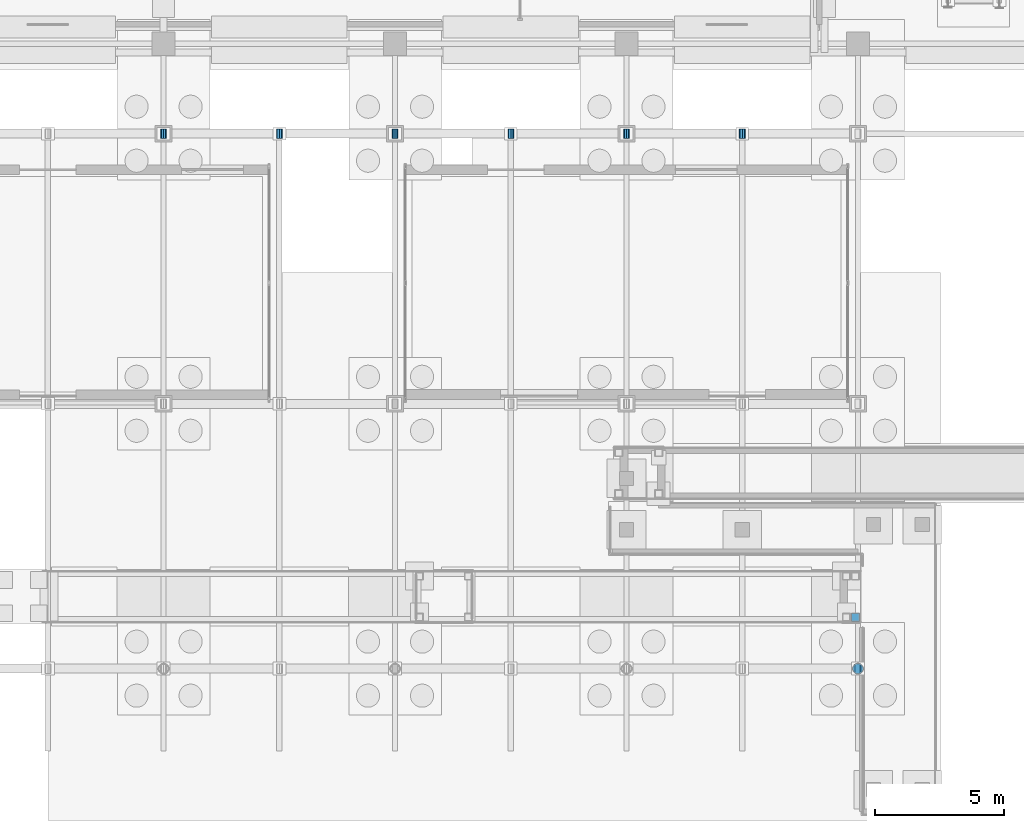
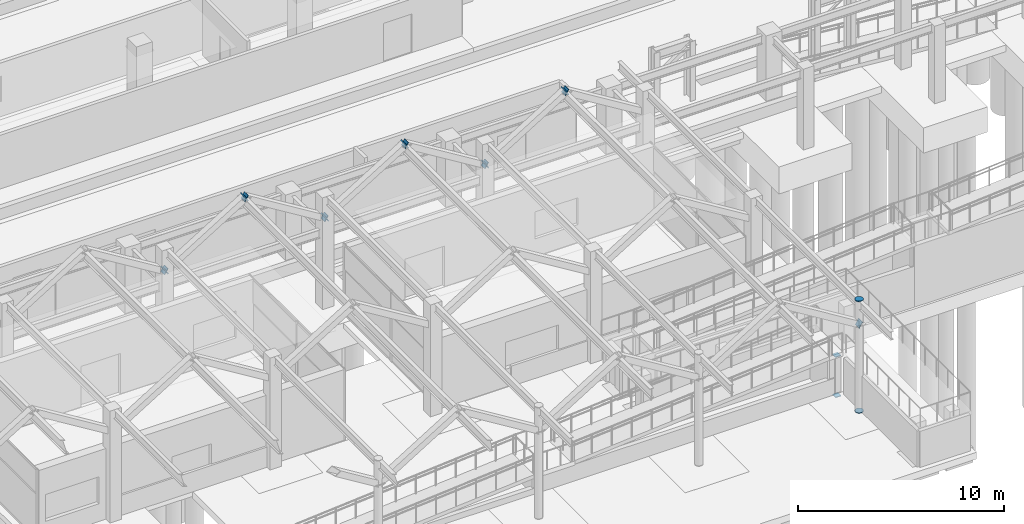
# One storey, part 120 of 160: 17 discrete accessories.
"""IFC4 building model written with IfcOpenShell, lengths in metres."""

from ifc_helpers import new_model, si_unit, direction, frame, origin, origin_2d, place, context, subcontext, project, spatial, rectangle, circle, extrude, material, element, save


model = new_model("IFC4")

# Units and contexts
model_context = context("Model", 3, precision=1e-05, world=origin(), true_north=direction((0.0, 1.0)))
body_context = subcontext(model_context, "Body", "Model", "MODEL_VIEW")
ifc_project = project(units=[si_unit("LENGTHUNIT", "METRE"), si_unit("AREAUNIT", "SQUARE_METRE"), si_unit("VOLUMEUNIT", "CUBIC_METRE"), si_unit("PLANEANGLEUNIT", "RADIAN"), si_unit("MASSUNIT", "GRAM", prefix="KILO")], contexts=[model_context])

# Site, building, storey
site_placement = place(None, origin())
site = spatial("IfcSite", under=ifc_project, at=site_placement, CompositionType="ELEMENT")
building_placement = place(site_placement, origin())
building = spatial("IfcBuilding", under=site, at=building_placement, Name="Marlcrest Central Station", CompositionType="ELEMENT")
storey_placement = place(building_placement, origin())
storey = spatial("IfcBuildingStorey", under=building, at=storey_placement, Name="L00", CompositionType="ELEMENT", Elevation=0.0)

# Discrete accessories
ifc_material = material(Name="Steel S355", Category="steel")
for number, where, z_axis, x_axis, name in (
    (1, (36.0126953125, 33.0, 5.192138671875), (-0.851591684043, 0.0, 0.524205688322), (0.0, -1.0, 0.0), "endcap-mem-ST-02-L00-00042-s"),
    (2, (35.9873046875, 33.0, 5.192138671875), (0.851591684043, 0.0, 0.524205688322), (0.0, 1.0, 0.0), "endcap-mem-ST-02-L00-00047-s"),
    (3, (40.478759765625, 33.0, 7.956787109375), (0.851591684043, 0.0, 0.524205688322), (0.0, 1.0, 0.0), "endcap-mem-ST-02-L00-00047-e"),
    (4, (45.0126953125, 33.0, 5.192138671875), (-0.851591684043, 0.0, 0.524205688322), (0.0, -1.0, 0.0), "endcap-mem-ST-02-L00-00048-s"),
    (5, (40.521240234375, 33.0, 7.956787109375), (-0.851591684043, 0.0, 0.524205688322), (0.0, -1.0, 0.0), "endcap-mem-ST-02-L00-00048-e"),
    (6, (44.9873046875, 33.0, 5.192138671875), (0.851591684043, 0.0, 0.524205688322), (0.0, 1.0, 0.0), "endcap-mem-ST-02-L00-00053-s"),
    (7, (49.478759765625, 33.0, 7.956787109375), (0.851591684043, 0.0, 0.524205688322), (0.0, 1.0, 0.0), "endcap-mem-ST-02-L00-00053-e"),
    (8, (54.0126953125, 33.0, 5.192138671875), (-0.851591684043, 0.0, 0.524205688322), (0.0, -1.0, 0.0), "endcap-mem-ST-02-L00-00054-s"),
    (9, (49.521240234375, 33.0, 7.956787109375), (-0.851591684043, 0.0, 0.524205688322), (0.0, -1.0, 0.0), "endcap-mem-ST-02-L00-00054-e"),
    (10, (63.0126953125, 12.199951171875, 5.192138671875), (-0.851591684043, 0.0, 0.524205688322), (0.0, -1.0, 0.0), "endcap-mem-ST-02-L00-00056-s"),
    (11, (53.9873046875, 33.0, 5.192138671875), (0.851591684043, 0.0, 0.524205688322), (0.0, 1.0, 0.0), "endcap-mem-ST-02-L00-00059-s"),
    (12, (58.478759765625, 33.0, 7.956787109375), (0.851591684043, 0.0, 0.524205688322), (0.0, 1.0, 0.0), "endcap-mem-ST-02-L00-00059-e"),
    (13, (58.521240234375, 33.0, 7.956787109375), (-0.851591684043, 0.0, 0.524205688322), (0.0, -1.0, 0.0), "endcap-mem-ST-02-L00-00060-e"),
):
    element("IfcDiscreteAccessory", number, at=place(storey_placement, frame(where, z_axis=z_axis, x_axis=x_axis)), inside=storey, material=ifc_material, Name=name, ObjectType="END_CAP_PLATE", PredefinedType="BRACKET", context=body_context, shape_type="SweptSolid", body=[
        extrude(rectangle(XDim=0.365966796875, YDim=0.365966796875, at=origin_2d()), origin(), (0.0, 0.0, 1.0), 0.0400390625),
    ])
for number, where, z_axis, x_axis, name in (
    (14, (63.0, 12.199951171875, -0.014892578125), (0.0, 0.0, 1.0), (1.0, 0.0, 0.0), "endcap-col-SC-10-L00-0385-s"),
    (15, (63.0, 12.199951171875, 6.614990234375), (0.0, 0.0, 1.0), (1.0, 0.0, 0.0), "endcap-col-SC-10-L00-0385-e"),
):
    element("IfcDiscreteAccessory", number, at=place(storey_placement, frame(where, z_axis=z_axis, x_axis=x_axis)), inside=storey, material=ifc_material, Name=name, ObjectType="END_CAP_PLATE", PredefinedType="BRACKET", context=body_context, shape_type="SweptSolid", body=[
        extrude(circle(Radius=0.211181640625, at=origin_2d()), origin(), (0.0, 0.0, 1.0), 0.0400390625),
    ])
for number, where, z_axis, x_axis, name in (
    (16, (62.89990234375, 14.199951171875, -0.264892578125), (0.0, 0.0, 1.0), (1.0, 0.0, 0.0), "endcap-ramp-01-ldcol-3-629-142-s"),
    (17, (62.89990234375, 14.199951171875, 2.125), (0.0, 0.0, 1.0), (1.0, 0.0, 0.0), "endcap-ramp-01-ldcol-3-629-142-e"),
):
    element("IfcDiscreteAccessory", number, at=place(storey_placement, frame(where, z_axis=z_axis, x_axis=x_axis)), inside=storey, material=ifc_material, Name=name, ObjectType="END_CAP_PLATE", PredefinedType="BRACKET", context=body_context, shape_type="SweptSolid", body=[
        extrude(rectangle(XDim=0.31591796875, YDim=0.31591796875, at=origin_2d()), origin(), (0.0, 0.0, 1.0), 0.0400390625),
    ])

save(model, "model.ifc")
